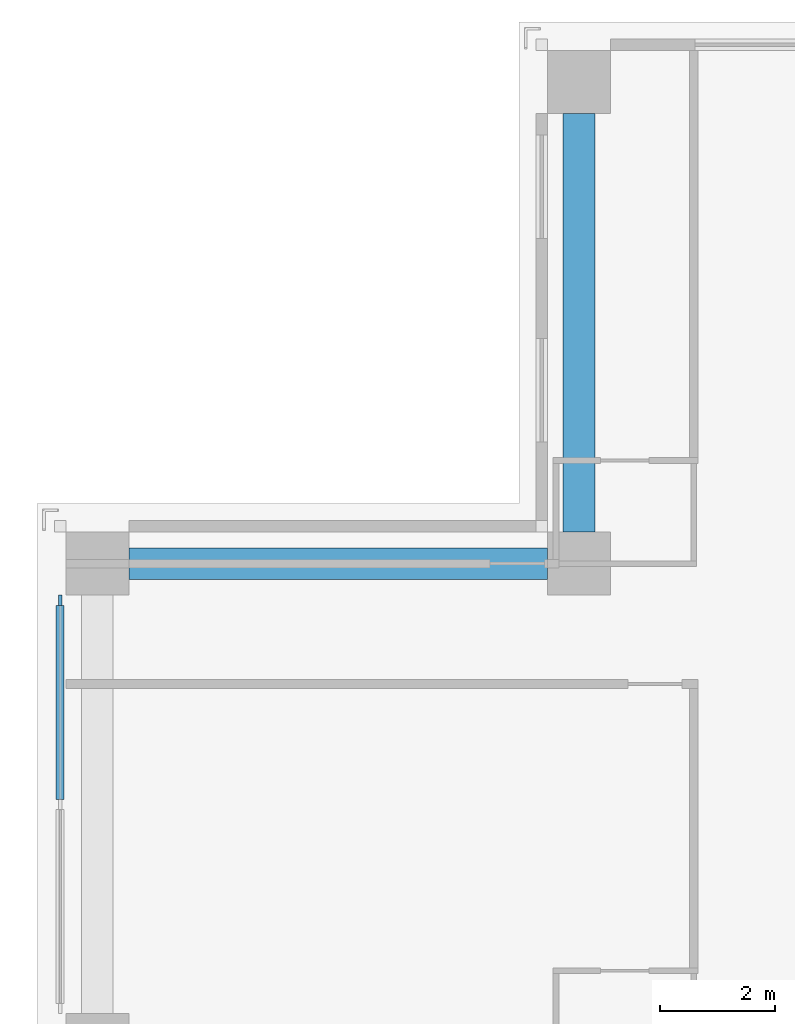
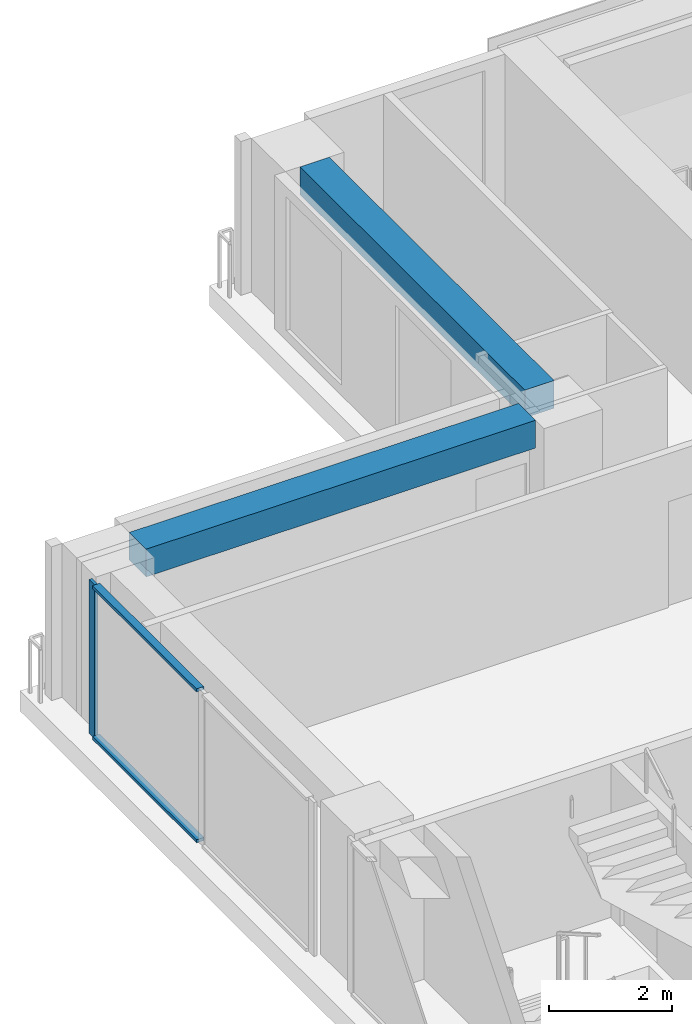
# One storey, part 6 of 16: 3 members, 2 beams, 1 element without a shape of its own.
"""IFC4 building model written with IfcOpenShell, lengths in metres."""

from ifc_helpers import new_model, si_unit, direction, frame, origin, origin_2d, place, context, subcontext, project, spatial, rectangle, extrude, material, material_profile, profile_set, type_object, element, aggregate, save


model = new_model("IFC4")

# Units and contexts
model_context = context("Model", 3, precision=1e-05, world=origin(), true_north=direction((0.0, 1.0)))
body_context = subcontext(model_context, "Body", "Model", "MODEL_VIEW")
ifc_project = project(units=[si_unit("LENGTHUNIT", "METRE"), si_unit("AREAUNIT", "SQUARE_METRE"), si_unit("VOLUMEUNIT", "CUBIC_METRE"), si_unit("PLANEANGLEUNIT", "RADIAN"), si_unit("MASSUNIT", "GRAM", prefix="KILO")], contexts=[model_context])

# Site, building, storey
site_placement = place(None, origin())
site = spatial("IfcSite", under=ifc_project, at=site_placement, CompositionType="ELEMENT")
building_placement = place(site_placement, origin())
building = spatial("IfcBuilding", under=site, at=building_placement, Name="Vermilion Ogive Tower", CompositionType="ELEMENT")
storey_placement = place(building_placement, frame((0.0, 0.0, 136.550048828125)))
storey = spatial("IfcBuildingStorey", under=building, at=storey_placement, Name="L34", CompositionType="ELEMENT", Elevation=136.550048828125)

# Curtain wall, members
ifc_material_1 = material(Name="Low-iron laminated glazing in aluminium frame", Category="aluminium")
curtain_wall_type = type_object("IfcCurtainWallType", Name="Curtain wall CW7", PredefinedType="NOTDEFINED", material=ifc_material_1)
curtain_wall_placement = place(storey_placement, origin())
curtain_wall = element("IfcCurtainWall", 1, at=curtain_wall_placement, inside=storey, type_object=curtain_wall_type, Name="Glazed skin W1", PredefinedType="NOTDEFINED")
ifc_material_2 = material(Name="Aluminium mullion", Category="aluminium")
ifc_material_profile_1 = material_profile(ifc_material_2, rectangle(XDim=0.06005859375, YDim=0.179931640625, at=origin_2d()), Name="AL 60x180")
ifc_profile_set_1 = profile_set([ifc_material_profile_1], Name="Aluminium mullion")
member_type_1 = type_object("IfcMemberType", Name="CW7 mullion 60x180", PredefinedType="MULLION", material=ifc_profile_set_1)
member_1_placement = place(storey_placement, frame((-21.64990234375, 11.9599609375, 0.0), z_axis=(0.0, 0.0, 1.0), x_axis=(1.0, 0.0, 0.0)))
member_1 = element("IfcMember", 2, at=member_1_placement, type_object=member_type_1, Name="CW7-W1 mullion 1", PredefinedType="MULLION", context=body_context, shape_type="SweptSolid", body=[
    extrude(rectangle(XDim=0.06005859375, YDim=0.179931640625, at=origin_2d()), origin(), (0.0, 0.0, 1.0), 3.050048828125),
])
ifc_material_3 = material(Name="Aluminium transom", Category="aluminium")
ifc_material_profile_2 = material_profile(ifc_material_3, rectangle(XDim=0.139892578125, YDim=0.06005859375, at=origin_2d()), Name="AL 60x140")
ifc_profile_set_2 = profile_set([ifc_material_profile_2], Name="Aluminium transom")
member_type_2 = type_object("IfcMemberType", Name="CW7 transom 60x140", PredefinedType="USERDEFINED", material=ifc_profile_set_2)
member_2_placement = place(storey_placement, frame((-21.64990234375, 11.8701171875, 0.030029296875), z_axis=(0.0, -1.0, 0.0), x_axis=(1.0, 0.0, 0.0)))
member_2 = element("IfcMember", 3, at=member_2_placement, type_object=member_type_2, Name="CW7-W1 transom 1.1", ObjectType="TRANSOM", PredefinedType="USERDEFINED", context=body_context, shape_type="SweptSolid", body=[
    extrude(rectangle(XDim=0.139892578125, YDim=0.06005859375, at=origin_2d()), origin(), (0.0, 0.0, 1.0), 3.380126953125),
])
member_3_placement = place(storey_placement, frame((-21.64990234375, 11.8701171875, 3.02001953125), z_axis=(0.0, -1.0, 0.0), x_axis=(1.0, 0.0, 0.0)))
member_3 = element("IfcMember", 4, at=member_3_placement, type_object=member_type_2, Name="CW7-W1 transom 1.2", ObjectType="TRANSOM", PredefinedType="USERDEFINED", context=body_context, shape_type="SweptSolid", body=[
    extrude(rectangle(XDim=0.139892578125, YDim=0.06005859375, at=origin_2d()), origin(), (0.0, 0.0, 1.0), 3.380126953125),
])
aggregate(curtain_wall, [member_1, member_2, member_3])

# Beams
ifc_material_4 = material(Name="Concrete B45", Category="concrete")
ifc_material_profile_3 = material_profile(ifc_material_4, rectangle(XDim=0.550048828125, YDim=0.550048828125, at=origin_2d()), Name="550 x 550")
ifc_profile_set_3 = profile_set([ifc_material_profile_3], Name="Concrete B45")
beam_type = type_object("IfcBeamType", Name="Edge beam 550 x 550 B45", PredefinedType="BEAM", material=ifc_profile_set_3)
for number, where, z_axis, x_axis, name in (
    (5, (-12.60009765625, 20.449951171875, 2.77490234375), (0.0, -1.0, 0.0), (1.0, 0.0, 0.0), "L34-EB-11"),
    (6, (-13.14990234375, 12.60009765625, 2.77490234375), (-1.0, 0.0, 0.0), (0.0, -1.0, 0.0), "L34-EB-12"),
):
    element("IfcBeam", number, at=place(storey_placement, frame(where, z_axis=z_axis, x_axis=x_axis)), inside=storey, type_object=beam_type, Name=name, PredefinedType="BEAM", context=body_context, shape_type="SweptSolid", body=[
        extrude(rectangle(XDim=0.550048828125, YDim=0.550048828125, at=origin_2d()), origin(), (0.0, 0.0, 1.0), 7.300048828125),
    ])

save(model, "model.ifc")
